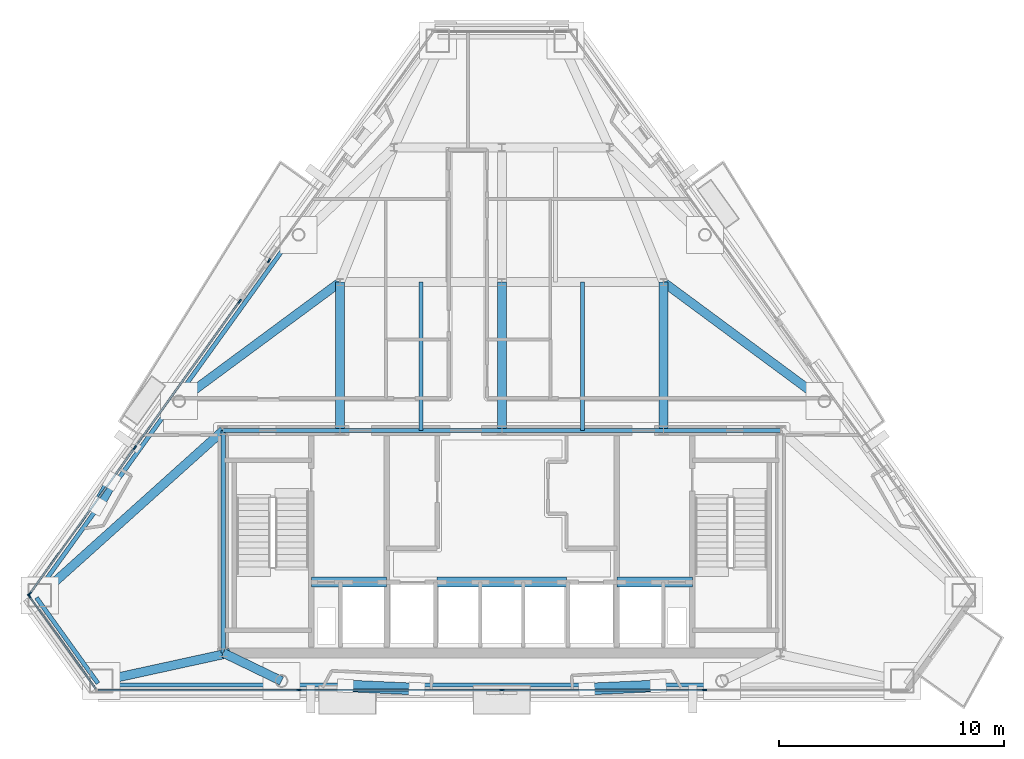
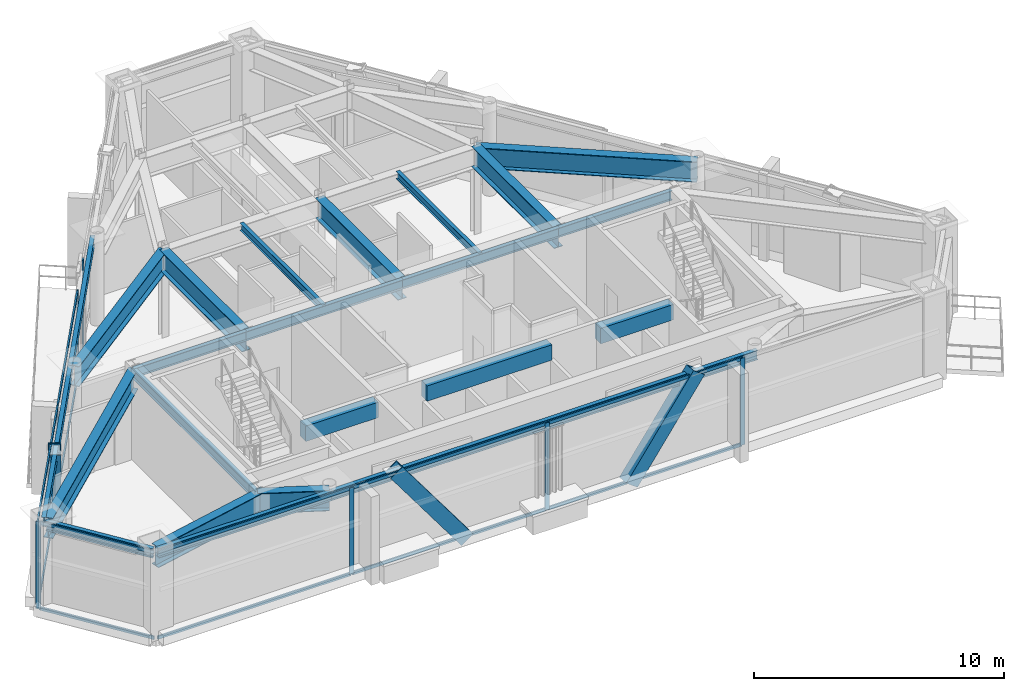
# One storey, part 3 of 11: 23 beams, 23 members, 4 elements without a shape of their own.
"""IFC4 building model written with IfcOpenShell, lengths in metres."""

from ifc_helpers import new_model, si_unit, direction, frame, origin, origin_2d, place, context, subcontext, project, spatial, rectangle, hollow_rectangle, i_section, extrude, material, layer, layer_set, material_profile, profile_set, type_object, element, aggregate, save


model = new_model("IFC4")

# Units and contexts
model_context = context("Model", 3, precision=1e-05, world=origin(), true_north=direction((0.0, 1.0)))
body_context = subcontext(model_context, "Body", "Model", "MODEL_VIEW")
ifc_project = project(units=[si_unit("LENGTHUNIT", "METRE"), si_unit("AREAUNIT", "SQUARE_METRE"), si_unit("VOLUMEUNIT", "CUBIC_METRE"), si_unit("PLANEANGLEUNIT", "RADIAN"), si_unit("MASSUNIT", "GRAM", prefix="KILO")], contexts=[model_context])

# Site, building, storey
site_placement = place(None, origin())
site = spatial("IfcSite", under=ifc_project, at=site_placement, CompositionType="ELEMENT")
building_placement = place(site_placement, origin())
building = spatial("IfcBuilding", under=site, at=building_placement, Name="Talgorran Terracotta Tower", CompositionType="ELEMENT")
storey_placement = place(building_placement, frame((0.0, 0.0, 228.89990234375)))
storey = spatial("IfcBuildingStorey", under=building, at=storey_placement, Name="L60", CompositionType="ELEMENT", Elevation=228.89990234375)

# Beams
ifc_material_1 = material(Name="Steel Grade 350 (350L0)", Category="steel")
ifc_material_profile_1 = material_profile(ifc_material_1, i_section(OverallWidth=0.39990234375, OverallDepth=1.0, WebThickness=0.01611328125, FlangeThickness=0.031005859375, at=origin_2d()), Name="1000WB296")
ifc_profile_set_1 = profile_set([ifc_material_profile_1], Name="Steel Grade 350 (350L0)")
beam_type_1 = type_object("IfcBeamType", Name="BM_1000WB296", PredefinedType="BEAM", material=ifc_profile_set_1)
beam_1_placement = place(storey_placement, frame((-9.806640625, -15.352294921875, 3.7451171875), z_axis=(-0.900513862936, 0.434827302109, 0.0), x_axis=(-0.434827302109, -0.900513862936, 0.0)))
element("IfcBeam", 1, at=beam_1_placement, inside=storey, type_object=beam_type_1, Name="L60 South-West Core Tie Beam", PredefinedType="BEAM", context=body_context, shape_type="SweptSolid", body=[
    extrude(i_section(OverallWidth=0.39990234375, OverallDepth=1.0, WebThickness=0.01611328125, FlangeThickness=0.031005859375, at=origin_2d()), origin(), (0.0, 0.0, 1.0), 2.879638671875),
])
beam_2_placement = place(storey_placement, frame((-17.830078125, -15.352294921875, 3.7451171875), z_axis=(0.976943988312, 0.213495769751, 0.0), x_axis=(-0.213495769751, 0.976943988312, 0.0)))
element("IfcBeam", 2, at=beam_2_placement, inside=storey, type_object=beam_type_1, Name="L60 Perimeter Step Girder 2", PredefinedType="BEAM", context=body_context, shape_type="SweptSolid", body=[
    extrude(i_section(OverallWidth=0.39990234375, OverallDepth=1.0, WebThickness=0.01611328125, FlangeThickness=0.031005859375, at=origin_2d()), origin(), (0.0, 0.0, 1.0), 5.865234375),
])
for number, where, z_axis, x_axis, name in (
    (3, (-7.199951171875, -4.199951171875, 3.7451171875), (0.0, 1.0, 0.0), (-1.0, 0.0, 0.0), "L60 Floor Girder G01"),
    (4, (0.0, -4.199951171875, 3.7451171875), (0.0, 1.0, 0.0), (-1.0, 0.0, 0.0), "L60 Floor Girder G02"),
    (5, (7.199951171875, -4.199951171875, 3.7451171875), (0.0, 1.0, 0.0), (-1.0, 0.0, 0.0), "L60 Floor Girder G03"),
):
    element("IfcBeam", number, at=place(storey_placement, frame(where, z_axis=z_axis, x_axis=x_axis)), inside=storey, type_object=beam_type_1, Name=name, PredefinedType="BEAM", context=body_context, shape_type="SweptSolid", body=[
        extrude(i_section(OverallWidth=0.39990234375, OverallDepth=1.0, WebThickness=0.01611328125, FlangeThickness=0.031005859375, at=origin_2d()), origin(), (0.0, 0.0, 1.0), 6.599853515625),
    ])
for number, where, z_axis, x_axis, name in (
    (6, (-7.199951171875, 2.39990234375, 3.7451171875), (-0.804042856359, -0.594571345708, 0.0), (0.594571345708, -0.804042856359, 0.0), "L60 Floor Girder G06"),
    (7, (7.199951171875, 2.39990234375, 3.7451171875), (0.804042856359, -0.594571345708, 0.0), (0.594571345708, 0.804042856359, 0.0), "L60 Floor Girder G07"),
):
    element("IfcBeam", number, at=place(storey_placement, frame(where, z_axis=z_axis, x_axis=x_axis)), inside=storey, type_object=beam_type_1, Name=name, PredefinedType="BEAM", context=body_context, shape_type="SweptSolid", body=[
        extrude(i_section(OverallWidth=0.39990234375, OverallDepth=1.0, WebThickness=0.01611328125, FlangeThickness=0.031005859375, at=origin_2d()), origin(), (0.0, 0.0, 1.0), 8.9091796875),
    ])
beam_3_placement = place(storey_placement, frame((-12.39990234375, -4.199951171875, 3.7451171875), z_axis=(-0.743768255752, -0.668437567567, 0.0), x_axis=(0.668437567567, -0.743768255752, 0.0)))
element("IfcBeam", 8, at=beam_3_placement, inside=storey, type_object=beam_type_1, Name="L60 Floor Girder G17", PredefinedType="BEAM", context=body_context, shape_type="SweptSolid", body=[
    extrude(i_section(OverallWidth=0.39990234375, OverallDepth=1.0, WebThickness=0.01611328125, FlangeThickness=0.031005859375, at=origin_2d()), origin(), (0.0, 0.0, 1.0), 10.980224609375),
])
ifc_material_2 = material(Name="Concrete C50/60", Category="concrete")
ifc_material_profile_2 = material_profile(ifc_material_2, rectangle(XDim=0.449951171875, YDim=0.75, at=origin_2d()), Name="RCCB450X750")
ifc_profile_set_2 = profile_set([ifc_material_profile_2], Name="Concrete C50/60")
beam_type_2 = type_object("IfcBeamType", Name="BM_CB_450X750", PredefinedType="LINTEL", material=ifc_profile_set_2)
beam_4_placement = place(storey_placement, frame((-8.47998046875, -10.949951171875, 3.8701171875), z_axis=(1.0, 0.0, 0.0), x_axis=(0.0, 1.0, 0.0)))
element("IfcBeam", 9, at=beam_4_placement, inside=storey, type_object=beam_type_2, Name="L60 Core Shear-Wall Coupling Beam CB1", PredefinedType="LINTEL", context=body_context, shape_type="SweptSolid", body=[
    extrude(rectangle(XDim=0.449951171875, YDim=0.75, at=origin_2d()), origin(), (0.0, 0.0, 1.0), 3.35986328125),
])
beam_5_placement = place(storey_placement, frame((-2.8798828125, -10.949951171875, 3.8701171875), z_axis=(1.0, 0.0, 0.0), x_axis=(0.0, 1.0, 0.0)))
element("IfcBeam", 10, at=beam_5_placement, inside=storey, type_object=beam_type_2, Name="L60 Core Shear-Wall Coupling Beam CB2", PredefinedType="LINTEL", context=body_context, shape_type="SweptSolid", body=[
    extrude(rectangle(XDim=0.449951171875, YDim=0.75, at=origin_2d()), origin(), (0.0, 0.0, 1.0), 5.759765625),
])
beam_6_placement = place(storey_placement, frame((5.1201171875, -10.949951171875, 3.8701171875), z_axis=(1.0, 0.0, 0.0), x_axis=(0.0, 1.0, 0.0)))
element("IfcBeam", 11, at=beam_6_placement, inside=storey, type_object=beam_type_2, Name="L60 Core Shear-Wall Coupling Beam CB3", PredefinedType="LINTEL", context=body_context, shape_type="SweptSolid", body=[
    extrude(rectangle(XDim=0.449951171875, YDim=0.75, at=origin_2d()), origin(), (0.0, 0.0, 1.0), 3.35986328125),
])
ifc_material_3 = material(Name="Steel S355 (300PLUS)", Category="steel")
ifc_material_profile_3 = material_profile(ifc_material_3, i_section(OverallWidth=0.17138671875, OverallDepth=0.355712890625, WebThickness=0.00732421875, FlangeThickness=0.011474609375, at=origin_2d()), Name="360UB50.7")
ifc_profile_set_3 = profile_set([ifc_material_profile_3], Name="Steel S355 (300PLUS)")
beam_type_3 = type_object("IfcBeamType", Name="BM_JS_360UB51", PredefinedType="JOIST", material=ifc_profile_set_3)
for number, where, z_axis, x_axis, name in (
    (12, (-3.60009765625, -4.199951171875, 4.0673828125), (0.0, 1.0, 0.0), (-1.0, 0.0, 0.0), "L60 Secondary Joist J01"),
    (13, (3.60009765625, -4.199951171875, 4.0673828125), (0.0, 1.0, 0.0), (-1.0, 0.0, 0.0), "L60 Secondary Joist J02"),
):
    element("IfcBeam", number, at=place(storey_placement, frame(where, z_axis=z_axis, x_axis=x_axis)), inside=storey, type_object=beam_type_3, Name=name, PredefinedType="JOIST", context=body_context, shape_type="SweptSolid", body=[
        extrude(i_section(OverallWidth=0.17138671875, OverallDepth=0.355712890625, WebThickness=0.00732421875, FlangeThickness=0.011474609375, at=origin_2d()), origin(), (0.0, 0.0, 1.0), 6.599853515625),
    ])
ifc_material_profile_4 = material_profile(ifc_material_3, i_section(OverallWidth=0.18994140625, OverallDepth=0.45703125, WebThickness=0.009033203125, FlangeThickness=0.014404296875, at=origin_2d()), Name="460UB74.6")
ifc_profile_set_4 = profile_set([ifc_material_profile_4], Name="Steel S355 (300PLUS)")
beam_type_4 = type_object("IfcBeamType", Name="BM_SP_460UB74", PredefinedType="SPANDREL", material=ifc_profile_set_4)
beam_7_placement = place(storey_placement, frame((-20.712890625, -11.64453125, 4.0166015625), z_axis=(0.583096756271, -0.812402715915, 0.0), x_axis=(0.812402715915, 0.583096756271, 0.0)))
element("IfcBeam", 14, at=beam_7_placement, inside=storey, type_object=beam_type_4, Name="L60 Perimeter Spandrel Beam MC1-MC2", PredefinedType="SPANDREL", context=body_context, shape_type="SweptSolid", body=[
    extrude(i_section(OverallWidth=0.18994140625, OverallDepth=0.45703125, WebThickness=0.009033203125, FlangeThickness=0.014404296875, at=origin_2d()), origin(), (0.0, 0.0, 1.0), 4.693115234375),
])
beam_8_placement = place(storey_placement, frame((-17.830078125, -15.5322265625, 4.0166015625), z_axis=(1.0, 0.0, 0.0), x_axis=(0.0, 1.0, 0.0)))
element("IfcBeam", 15, at=beam_8_placement, inside=storey, type_object=beam_type_4, Name="L60 Perimeter Spandrel Beam MC2-FC1", PredefinedType="SPANDREL", context=body_context, shape_type="SweptSolid", body=[
    extrude(i_section(OverallWidth=0.18994140625, OverallDepth=0.45703125, WebThickness=0.009033203125, FlangeThickness=0.014404296875, at=origin_2d()), origin(), (0.0, 0.0, 1.0), 8.0234375),
])
beam_9_placement = place(storey_placement, frame((-9.806640625, -15.5322265625, 4.0166015625), z_axis=(1.0, 0.0, 0.0), x_axis=(0.0, 1.0, 0.0)))
element("IfcBeam", 16, at=beam_9_placement, inside=storey, type_object=beam_type_4, Name="L60 Perimeter Spandrel Beam FC1-FC2", PredefinedType="SPANDREL", context=body_context, shape_type="SweptSolid", body=[
    extrude(i_section(OverallWidth=0.18994140625, OverallDepth=0.45703125, WebThickness=0.009033203125, FlangeThickness=0.014404296875, at=origin_2d()), origin(), (0.0, 0.0, 1.0), 19.61328125),
])
beam_10_placement = place(storey_placement, frame((-9.192626953125, 4.615478515625, 4.0166015625), z_axis=(-0.583100770976, -0.812399834372, 0.0), x_axis=(0.812399834372, -0.583100770976, 0.0)))
element("IfcBeam", 17, at=beam_10_placement, inside=storey, type_object=beam_type_4, Name="L60 Perimeter Spandrel Beam FC5-FC6", PredefinedType="SPANDREL", context=body_context, shape_type="SweptSolid", body=[
    extrude(i_section(OverallWidth=0.18994140625, OverallDepth=0.45703125, WebThickness=0.009033203125, FlangeThickness=0.014404296875, at=origin_2d()), origin(), (0.0, 0.0, 1.0), 9.118408203125),
])
beam_11_placement = place(storey_placement, frame((-14.509521484375, -2.792236328125, 4.0166015625), z_axis=(-0.583120966057, -0.812385338953, 0.0), x_axis=(0.812385338953, -0.583120966057, 0.0)))
element("IfcBeam", 18, at=beam_11_placement, inside=storey, type_object=beam_type_4, Name="L60 Perimeter Spandrel Beam FC6-MC1", PredefinedType="SPANDREL", context=body_context, shape_type="SweptSolid", body=[
    extrude(i_section(OverallWidth=0.18994140625, OverallDepth=0.45703125, WebThickness=0.009033203125, FlangeThickness=0.014404296875, at=origin_2d()), origin(), (0.0, 0.0, 1.0), 10.63818359375),
])
beam_12_placement = place(storey_placement, frame((-12.39990234375, -14.10009765625, 4.0166015625), z_axis=(0.0, 1.0, 0.0), x_axis=(-1.0, 0.0, 0.0)))
element("IfcBeam", 19, at=beam_12_placement, inside=storey, type_object=beam_type_4, Name="L60 Core Frame Beam CFW", PredefinedType="SPANDREL", context=body_context, shape_type="SweptSolid", body=[
    extrude(i_section(OverallWidth=0.18994140625, OverallDepth=0.45703125, WebThickness=0.009033203125, FlangeThickness=0.014404296875, at=origin_2d()), origin(), (0.0, 0.0, 1.0), 9.900146484375),
])
beam_13_placement = place(storey_placement, frame((-12.39990234375, -4.199951171875, 4.0166015625), z_axis=(1.0, 0.0, 0.0), x_axis=(0.0, 1.0, 0.0)))
element("IfcBeam", 20, at=beam_13_placement, inside=storey, type_object=beam_type_4, Name="L60 Core Frame Beam CFN1", PredefinedType="SPANDREL", context=body_context, shape_type="SweptSolid", body=[
    extrude(i_section(OverallWidth=0.18994140625, OverallDepth=0.45703125, WebThickness=0.009033203125, FlangeThickness=0.014404296875, at=origin_2d()), origin(), (0.0, 0.0, 1.0), 5.199951171875),
])
for number, where, z_axis, x_axis, name in (
    (21, (-7.199951171875, -4.199951171875, 4.0166015625), (1.0, 0.0, 0.0), (0.0, 1.0, 0.0), "L60 Core Frame Beam CFN2"),
    (22, (0.0, -4.199951171875, 4.0166015625), (1.0, 0.0, 0.0), (0.0, 1.0, 0.0), "L60 Core Frame Beam CFN3"),
):
    element("IfcBeam", number, at=place(storey_placement, frame(where, z_axis=z_axis, x_axis=x_axis)), inside=storey, type_object=beam_type_4, Name=name, PredefinedType="SPANDREL", context=body_context, shape_type="SweptSolid", body=[
        extrude(i_section(OverallWidth=0.18994140625, OverallDepth=0.45703125, WebThickness=0.009033203125, FlangeThickness=0.014404296875, at=origin_2d()), origin(), (0.0, 0.0, 1.0), 7.199951171875),
    ])
beam_14_placement = place(storey_placement, frame((7.199951171875, -4.199951171875, 4.0166015625), z_axis=(1.0, 0.0, 0.0), x_axis=(0.0, 1.0, 0.0)))
element("IfcBeam", 23, at=beam_14_placement, inside=storey, type_object=beam_type_4, Name="L60 Core Frame Beam CFN4", PredefinedType="SPANDREL", context=body_context, shape_type="SweptSolid", body=[
    extrude(i_section(OverallWidth=0.18994140625, OverallDepth=0.45703125, WebThickness=0.009033203125, FlangeThickness=0.014404296875, at=origin_2d()), origin(), (0.0, 0.0, 1.0), 5.199951171875),
])

# Members
ifc_material_profile_5 = material_profile(ifc_material_1, hollow_rectangle(XDim=0.52001953125, YDim=0.659912109375, WallThickness=0.034912109375, at=origin_2d()), Name="WBOX660X520X35")
ifc_profile_set_5 = profile_set([ifc_material_profile_5], Name="Steel Grade 350 (350L0)")
member_type_1 = type_object("IfcMemberType", Name="MB_MEGA_660", PredefinedType="BRACE", material=ifc_profile_set_5)
for number, where, z_axis, x_axis, name in (
    (24, (-3.783203125, -15.712158203125, -0.02490234375), (-0.594741949978, 0.026992204918, 0.803463399172), (-0.045338064463, -0.998971701256, 0.0), "L60 Exterior Face Mega-Brace MB-3 (SWF)"),
    (25, (3.783203125, -15.712158203125, -0.02490234375), (0.594741949978, 0.026992204918, 0.803463399172), (-0.045338064463, 0.998971701256, 0.0), "L60 Exterior Face Mega-Brace MB-3 (SEF)"),
):
    element("IfcMember", number, at=place(storey_placement, frame(where, z_axis=z_axis, x_axis=x_axis)), inside=storey, type_object=member_type_1, Name=name, PredefinedType="BRACE", context=body_context, shape_type="SweptSolid", body=[
        extrude(hollow_rectangle(XDim=0.52001953125, YDim=0.659912109375, WallThickness=0.034912109375, at=origin_2d()), origin(), (0.0, 0.0, 1.0), 5.345458984375),
    ])
member_1_placement = place(storey_placement, frame((-17.359619140625, -6.453857421875, -0.02490234375), z_axis=(-0.139755292231, -0.248453852855, 0.958508811277), x_axis=(0.871575537125, -0.490261239633, 0.0)))
element("IfcMember", 26, at=member_1_placement, inside=storey, type_object=member_type_1, Name="L60 Exterior Face Mega-Brace MB-3 (NWL)", PredefinedType="BRACE", context=body_context, shape_type="SweptSolid", body=[
    extrude(hollow_rectangle(XDim=0.52001953125, YDim=0.659912109375, WallThickness=0.034912109375, at=origin_2d()), origin(), (0.0, 0.0, 1.0), 4.48095703125),
])

# Curtain wall, member
ifc_material_4 = material(Name="High-Wind Unitised Glazing", Category="glass")
ifc_layer = layer(ifc_material_4, 0.2099609375, Name="CW_SYS3_RES_HIGH")
ifc_layer_set = layer_set([ifc_layer], Name="High-Wind Unitised Glazing")
curtain_wall_type = type_object("IfcCurtainWallType", Name="CW_SYS3_RES_HIGH", PredefinedType="NOTDEFINED", material=ifc_layer_set)
curtain_wall_1_placement = place(storey_placement, origin())
curtain_wall_1 = element("IfcCurtainWall", 27, at=curtain_wall_1_placement, inside=storey, type_object=curtain_wall_type, Name="CW-L60-F0", PredefinedType="NOTDEFINED")
ifc_material_5 = material(Name="Architectural Aluminium 6063-T6", Category="aluminium")
ifc_material_profile_6 = material_profile(ifc_material_5, rectangle(XDim=0.070068359375, YDim=0.199951171875, at=origin_2d()), Name="CWM70X200")
ifc_profile_set_6 = profile_set([ifc_material_profile_6], Name="Architectural Aluminium 6063-T6")
member_type_2 = type_object("IfcMemberType", Name="MUL_70X200", PredefinedType="MULLION", material=ifc_profile_set_6)
member_2_placement = place(storey_placement, frame((-21.03857421875, -11.568115234375, 0.0), z_axis=(0.0, 0.0, 1.0), x_axis=(0.812390492916, 0.583113785654, 0.0)))
member_2 = element("IfcMember", 28, at=member_2_placement, type_object=member_type_2, Name="CW-L60-0 mullion 1", PredefinedType="MULLION", context=body_context, shape_type="SweptSolid", body=[
    extrude(rectangle(XDim=0.070068359375, YDim=0.199951171875, at=origin_2d()), origin(), (0.0, 0.0, 1.0), 4.2451171875),
])

# Curtain wall, members
curtain_wall_2_placement = place(storey_placement, origin())
curtain_wall_2 = element("IfcCurtainWall", 29, at=curtain_wall_2_placement, inside=storey, type_object=curtain_wall_type, Name="CW-L60-F1", PredefinedType="NOTDEFINED")
member_3_placement = place(storey_placement, frame((-9.017578125, -15.752197265625, 0.0), z_axis=(0.0, 0.0, 1.0), x_axis=(0.0, 1.0, 0.0)))
member_3 = element("IfcMember", 30, at=member_3_placement, type_object=member_type_2, Name="CW-L60-1 mullion 2", PredefinedType="MULLION", context=body_context, shape_type="SweptSolid", body=[
    extrude(rectangle(XDim=0.070068359375, YDim=0.199951171875, at=origin_2d()), origin(), (0.0, 0.0, 1.0), 4.2451171875),
])
member_4_placement = place(storey_placement, frame((0.0, -15.752197265625, 0.0), z_axis=(0.0, 0.0, 1.0), x_axis=(0.0, 1.0, 0.0)))
member_4 = element("IfcMember", 31, at=member_4_placement, type_object=member_type_2, Name="CW-L60-1 mullion 3", PredefinedType="MULLION", context=body_context, shape_type="SweptSolid", body=[
    extrude(rectangle(XDim=0.070068359375, YDim=0.199951171875, at=origin_2d()), origin(), (0.0, 0.0, 1.0), 4.2451171875),
])
member_5_placement = place(storey_placement, frame((9.017578125, -15.752197265625, 0.0), z_axis=(0.0, 0.0, 1.0), x_axis=(0.0, 1.0, 0.0)))
member_5 = element("IfcMember", 32, at=member_5_placement, type_object=member_type_2, Name="CW-L60-1 mullion 4", PredefinedType="MULLION", context=body_context, shape_type="SweptSolid", body=[
    extrude(rectangle(XDim=0.070068359375, YDim=0.199951171875, at=origin_2d()), origin(), (0.0, 0.0, 1.0), 4.2451171875),
])

# Curtain wall, member
curtain_wall_3_placement = place(storey_placement, origin())
curtain_wall_3 = element("IfcCurtainWall", 33, at=curtain_wall_3_placement, inside=storey, type_object=curtain_wall_type, Name="CW-L60-F60", PredefinedType="NOTDEFINED")
member_6_placement = place(storey_placement, frame((-10.36328125, 3.361572265625, 0.0), z_axis=(0.0, 0.0, 1.0), x_axis=(0.812390181655, -0.583114219301, 0.0)))
member_6 = element("IfcMember", 34, at=member_6_placement, type_object=member_type_2, Name="CW-L60-60 mullion 2", PredefinedType="MULLION", context=body_context, shape_type="SweptSolid", body=[
    extrude(rectangle(XDim=0.070068359375, YDim=0.199951171875, at=origin_2d()), origin(), (0.0, 0.0, 1.0), 4.2451171875),
])
aggregate(curtain_wall_3, [member_6])

# Curtain wall, members
curtain_wall_4_placement = place(storey_placement, origin())
curtain_wall_4 = element("IfcCurtainWall", 35, at=curtain_wall_4_placement, inside=storey, type_object=curtain_wall_type, Name="CW-L60-F61", PredefinedType="NOTDEFINED")
member_7_placement = place(storey_placement, frame((-11.663818359375, 1.550048828125, 0.0), z_axis=(0.0, 0.0, 1.0), x_axis=(0.812388962946, -0.583115917193, 0.0)))
member_7 = element("IfcMember", 36, at=member_7_placement, type_object=member_type_2, Name="CW-L60-61 mullion 1", PredefinedType="MULLION", context=body_context, shape_type="SweptSolid", body=[
    extrude(rectangle(XDim=0.070068359375, YDim=0.199951171875, at=origin_2d()), origin(), (0.0, 0.0, 1.0), 4.2451171875),
])
member_8_placement = place(storey_placement, frame((-16.339599609375, -4.96435546875, 0.0), z_axis=(0.0, 0.0, 1.0), x_axis=(0.812388962946, -0.583115917193, 0.0)))
member_8 = element("IfcMember", 37, at=member_8_placement, type_object=member_type_2, Name="CW-L60-61 mullion 2", PredefinedType="MULLION", context=body_context, shape_type="SweptSolid", body=[
    extrude(rectangle(XDim=0.070068359375, YDim=0.199951171875, at=origin_2d()), origin(), (0.0, 0.0, 1.0), 4.2451171875),
])
member_9_placement = place(storey_placement, frame((-21.015380859375, -11.478759765625, 0.0), z_axis=(0.0, 0.0, 1.0), x_axis=(0.812388962946, -0.583115917193, 0.0)))
member_9 = element("IfcMember", 38, at=member_9_placement, type_object=member_type_2, Name="CW-L60-61 mullion 3", PredefinedType="MULLION", context=body_context, shape_type="SweptSolid", body=[
    extrude(rectangle(XDim=0.070068359375, YDim=0.199951171875, at=origin_2d()), origin(), (0.0, 0.0, 1.0), 4.2451171875),
])

# Member
ifc_material_profile_7 = material_profile(ifc_material_5, rectangle(XDim=0.070068359375, YDim=0.159912109375, at=origin_2d()), Name="CWT70X160")
ifc_profile_set_7 = profile_set([ifc_material_profile_7], Name="Architectural Aluminium 6063-T6")
member_type_3 = type_object("IfcMemberType", Name="TRN_70X160", PredefinedType="USERDEFINED", material=ifc_profile_set_7)
member_10_placement = place(storey_placement, frame((-21.018310546875, -11.596435546875, 0.03515625), z_axis=(0.583122452768, -0.812384271806, 0.0), x_axis=(0.812384271806, 0.583122452768, 0.0)))
member_10 = element("IfcMember", 39, at=member_10_placement, type_object=member_type_3, Name="CW-L60-0 transom 1.1", ObjectType="TRANSOM", PredefinedType="USERDEFINED", context=body_context, shape_type="SweptSolid", body=[
    extrude(rectangle(XDim=0.070068359375, YDim=0.159912109375, at=origin_2d()), origin(), (0.0, 0.0, 1.0), 5.04541015625),
])

member_11_placement = place(storey_placement, frame((-21.018310546875, -11.596435546875, 4.210205078125), z_axis=(0.583122452768, -0.812384271806, 0.0), x_axis=(0.812384271806, 0.583122452768, 0.0)))
member_11 = element("IfcMember", 40, at=member_11_placement, type_object=member_type_3, Name="CW-L60-0 transom 1.2", ObjectType="TRANSOM", PredefinedType="USERDEFINED", context=body_context, shape_type="SweptSolid", body=[
    extrude(rectangle(XDim=0.070068359375, YDim=0.159912109375, at=origin_2d()), origin(), (0.0, 0.0, 1.0), 5.04541015625),
])

aggregate(curtain_wall_1, [member_2, member_10, member_11])

member_12_placement = place(storey_placement, frame((-17.96533203125, -15.752197265625, 0.03515625), z_axis=(1.0, 0.0, 0.0), x_axis=(0.0, 1.0, 0.0)))
member_12 = element("IfcMember", 41, at=member_12_placement, type_object=member_type_3, Name="CW-L60-1 transom 1.1", ObjectType="TRANSOM", PredefinedType="USERDEFINED", context=body_context, shape_type="SweptSolid", body=[
    extrude(rectangle(XDim=0.070068359375, YDim=0.159912109375, at=origin_2d()), origin(), (0.0, 0.0, 1.0), 8.91259765625),
])

member_13_placement = place(storey_placement, frame((-17.96533203125, -15.752197265625, 4.210205078125), z_axis=(1.0, 0.0, 0.0), x_axis=(0.0, 1.0, 0.0)))
member_13 = element("IfcMember", 42, at=member_13_placement, type_object=member_type_3, Name="CW-L60-1 transom 1.2", ObjectType="TRANSOM", PredefinedType="USERDEFINED", context=body_context, shape_type="SweptSolid", body=[
    extrude(rectangle(XDim=0.070068359375, YDim=0.159912109375, at=origin_2d()), origin(), (0.0, 0.0, 1.0), 8.91259765625),
])

member_14_placement = place(storey_placement, frame((-8.982666015625, -15.752197265625, 0.03515625), z_axis=(1.0, 0.0, 0.0), x_axis=(0.0, 1.0, 0.0)))
member_14 = element("IfcMember", 43, at=member_14_placement, type_object=member_type_3, Name="CW-L60-1 transom 2.1", ObjectType="TRANSOM", PredefinedType="USERDEFINED", context=body_context, shape_type="SweptSolid", body=[
    extrude(rectangle(XDim=0.070068359375, YDim=0.159912109375, at=origin_2d()), origin(), (0.0, 0.0, 1.0), 8.94775390625),
])

member_15_placement = place(storey_placement, frame((-8.982666015625, -15.752197265625, 4.210205078125), z_axis=(1.0, 0.0, 0.0), x_axis=(0.0, 1.0, 0.0)))
member_15 = element("IfcMember", 44, at=member_15_placement, type_object=member_type_3, Name="CW-L60-1 transom 2.2", ObjectType="TRANSOM", PredefinedType="USERDEFINED", context=body_context, shape_type="SweptSolid", body=[
    extrude(rectangle(XDim=0.070068359375, YDim=0.159912109375, at=origin_2d()), origin(), (0.0, 0.0, 1.0), 8.94775390625),
])

member_16_placement = place(storey_placement, frame((0.034912109375, -15.752197265625, 0.03515625), z_axis=(1.0, 0.0, 0.0), x_axis=(0.0, 1.0, 0.0)))
member_16 = element("IfcMember", 45, at=member_16_placement, type_object=member_type_3, Name="CW-L60-1 transom 3.1", ObjectType="TRANSOM", PredefinedType="USERDEFINED", context=body_context, shape_type="SweptSolid", body=[
    extrude(rectangle(XDim=0.070068359375, YDim=0.159912109375, at=origin_2d()), origin(), (0.0, 0.0, 1.0), 8.94775390625),
])

member_17_placement = place(storey_placement, frame((0.034912109375, -15.752197265625, 4.210205078125), z_axis=(1.0, 0.0, 0.0), x_axis=(0.0, 1.0, 0.0)))
member_17 = element("IfcMember", 46, at=member_17_placement, type_object=member_type_3, Name="CW-L60-1 transom 3.2", ObjectType="TRANSOM", PredefinedType="USERDEFINED", context=body_context, shape_type="SweptSolid", body=[
    extrude(rectangle(XDim=0.070068359375, YDim=0.159912109375, at=origin_2d()), origin(), (0.0, 0.0, 1.0), 8.94775390625),
])

aggregate(curtain_wall_2, [member_3, member_4, member_5, member_12, member_13, member_14, member_15, member_16, member_17])

member_18_placement = place(storey_placement, frame((-11.68408203125, 1.521484375, 0.03515625), z_axis=(-0.583110638641, -0.812392751755, 0.0), x_axis=(0.812392751755, -0.583110638641, 0.0)))
member_18 = element("IfcMember", 47, at=member_18_placement, type_object=member_type_3, Name="CW-L60-61 transom 1.1", ObjectType="TRANSOM", PredefinedType="USERDEFINED", context=body_context, shape_type="SweptSolid", body=[
    extrude(rectangle(XDim=0.070068359375, YDim=0.159912109375, at=origin_2d()), origin(), (0.0, 0.0, 1.0), 7.94873046875),
])

member_19_placement = place(storey_placement, frame((-11.68408203125, 1.521484375, 4.210205078125), z_axis=(-0.583110638641, -0.812392751755, 0.0), x_axis=(0.812392751755, -0.583110638641, 0.0)))
member_19 = element("IfcMember", 48, at=member_19_placement, type_object=member_type_3, Name="CW-L60-61 transom 1.2", ObjectType="TRANSOM", PredefinedType="USERDEFINED", context=body_context, shape_type="SweptSolid", body=[
    extrude(rectangle(XDim=0.070068359375, YDim=0.159912109375, at=origin_2d()), origin(), (0.0, 0.0, 1.0), 7.94873046875),
])

member_20_placement = place(storey_placement, frame((-16.35986328125, -4.99267578125, 0.03515625), z_axis=(-0.583110638641, -0.812392751755, 0.0), x_axis=(0.812392751755, -0.583110638641, 0.0)))
member_20 = element("IfcMember", 49, at=member_20_placement, type_object=member_type_3, Name="CW-L60-61 transom 2.1", ObjectType="TRANSOM", PredefinedType="USERDEFINED", context=body_context, shape_type="SweptSolid", body=[
    extrude(rectangle(XDim=0.070068359375, YDim=0.159912109375, at=origin_2d()), origin(), (0.0, 0.0, 1.0), 7.94873046875),
])

member_21_placement = place(storey_placement, frame((-16.35986328125, -4.99267578125, 4.210205078125), z_axis=(-0.583110638641, -0.812392751755, 0.0), x_axis=(0.812392751755, -0.583110638641, 0.0)))
member_21 = element("IfcMember", 50, at=member_21_placement, type_object=member_type_3, Name="CW-L60-61 transom 2.2", ObjectType="TRANSOM", PredefinedType="USERDEFINED", context=body_context, shape_type="SweptSolid", body=[
    extrude(rectangle(XDim=0.070068359375, YDim=0.159912109375, at=origin_2d()), origin(), (0.0, 0.0, 1.0), 7.94873046875),
])

aggregate(curtain_wall_4, [member_7, member_8, member_9, member_18, member_19, member_20, member_21])

save(model, "model.ifc")
